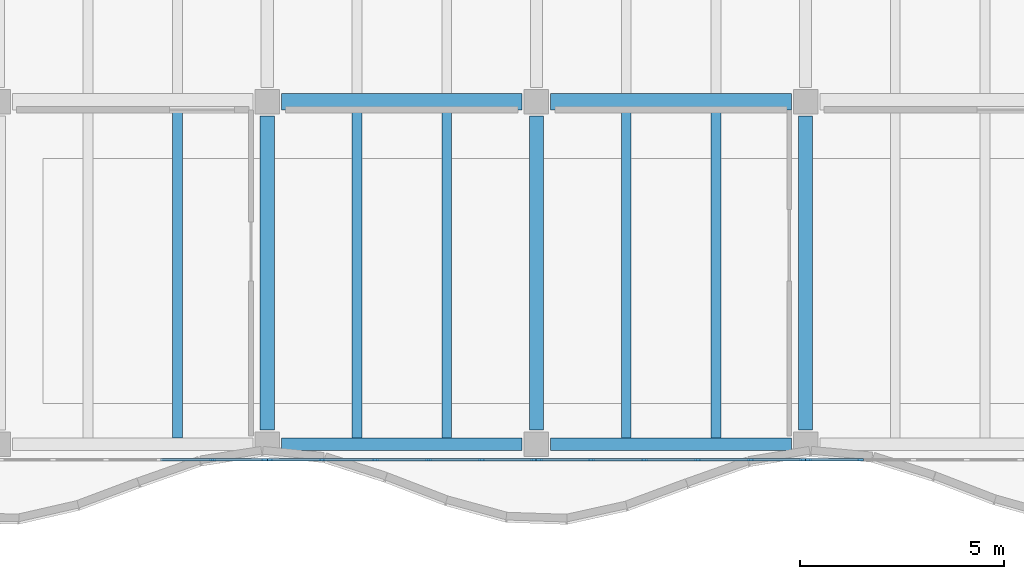
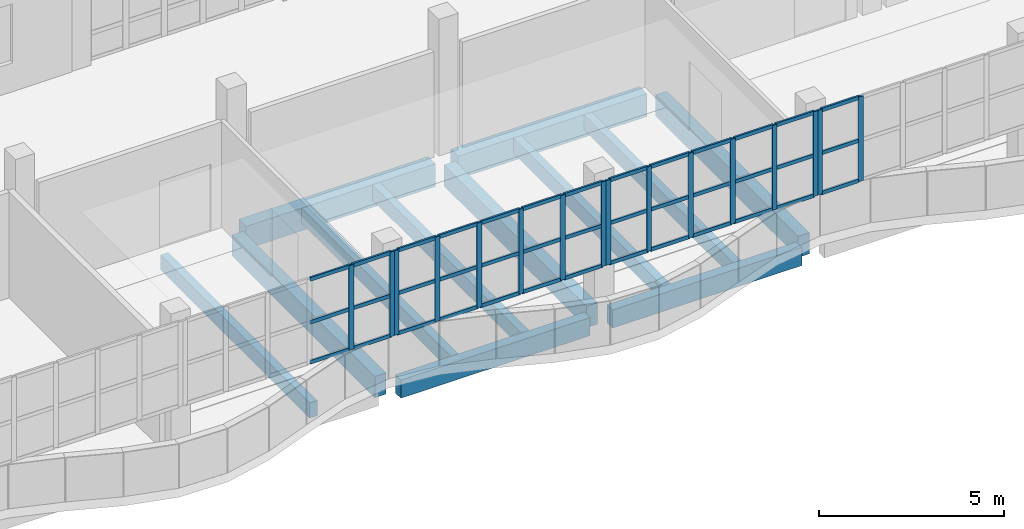
# One storey, part 11 of 76: 55 members, 12 beams, 4 elements without a shape of their own.
"""IFC4 building model written with IfcOpenShell, lengths in metres."""

from ifc_helpers import new_model, si_unit, direction, frame, origin, origin_2d, place, context, subcontext, project, spatial, rectangle, extrude, material, material_profile, profile_set, type_object, element, aggregate, save


model = new_model("IFC4")

# Units and contexts
model_context = context("Model", 3, precision=1e-05, world=origin(), true_north=direction((0.0, 1.0)))
body_context = subcontext(model_context, "Body", "Model", "MODEL_VIEW")
ifc_project = project(units=[si_unit("LENGTHUNIT", "METRE"), si_unit("AREAUNIT", "SQUARE_METRE"), si_unit("VOLUMEUNIT", "CUBIC_METRE"), si_unit("PLANEANGLEUNIT", "RADIAN"), si_unit("MASSUNIT", "GRAM", prefix="KILO")], contexts=[model_context])

# Site, building, storey
site_placement = place(None, origin())
site = spatial("IfcSite", under=ifc_project, at=site_placement, CompositionType="ELEMENT")
building_placement = place(site_placement, origin())
building = spatial("IfcBuilding", under=site, at=building_placement, Name="Qaldarim Faculty of Natural and Applied Sciences", CompositionType="ELEMENT")
storey_placement = place(building_placement, frame((0.0, 0.0, 9.89990234375)))
storey = spatial("IfcBuildingStorey", under=building, at=storey_placement, Name="L02", CompositionType="ELEMENT", Elevation=9.89990234375)

# Beams
ifc_material_1 = material(Name="Concrete C40/50", Category="concrete")
ifc_material_profile_1 = material_profile(ifc_material_1, rectangle(XDim=0.239990234375, YDim=0.5, at=origin_2d()), Name="RC-J240x500")
ifc_profile_set_1 = profile_set([ifc_material_profile_1], Name="Concrete C40/50")
beam_type_1 = type_object("IfcBeamType", Name="HeavyJoist-RC240x500", PredefinedType="JOIST", material=ifc_profile_set_1)
for number, where, z_axis, x_axis, name in (
    (1, (63.800048828125, 100.949951171875, -0.5498046875), (0.0, 1.0, 0.0), (-1.0, 0.0, 0.0), "Laboratory joist L01 bay X10Y13-2"),
    (2, (68.199951171875, 100.949951171875, -0.5498046875), (0.0, 1.0, 0.0), (-1.0, 0.0, 0.0), "Laboratory joist L01 bay X11Y13-1"),
    (3, (70.39990234375, 100.949951171875, -0.5498046875), (0.0, 1.0, 0.0), (-1.0, 0.0, 0.0), "Laboratory joist L01 bay X11Y13-2"),
    (4, (74.800048828125, 100.949951171875, -0.5498046875), (0.0, 1.0, 0.0), (-1.0, 0.0, 0.0), "Laboratory joist L01 bay X12Y13-1"),
    (5, (77.0, 100.949951171875, -0.5498046875), (0.0, 1.0, 0.0), (-1.0, 0.0, 0.0), "Laboratory joist L01 bay X12Y13-2"),
):
    element("IfcBeam", number, at=place(storey_placement, frame(where, z_axis=z_axis, x_axis=x_axis)), inside=storey, type_object=beam_type_1, Name=name, PredefinedType="JOIST", context=body_context, shape_type="SweptSolid", body=[
        extrude(rectangle(XDim=0.239990234375, YDim=0.5, at=origin_2d()), origin(), (0.0, 0.0, 1.0), 8.050048828125),
    ])
ifc_material_2 = material(Name="Concrete C50/60", Category="concrete")
ifc_material_profile_2 = material_profile(ifc_material_2, rectangle(XDim=0.39990234375, YDim=0.75, at=origin_2d()), Name="RC-B400x750")
ifc_profile_set_2 = profile_set([ifc_material_profile_2], Name="Concrete C50/60")
beam_type_2 = type_object("IfcBeamType", Name="LabGirder-RC400x750", PredefinedType="BEAM", material=ifc_profile_set_2)
beam_1_placement = place(storey_placement, frame((66.35009765625, 109.199951171875, -0.6748046875), z_axis=(1.0, 0.0, 0.0), x_axis=(0.0, 1.0, 0.0)))
element("IfcBeam", 6, at=beam_1_placement, inside=storey, type_object=beam_type_2, Name="Beam RC-B400x750 L01 X11-X12/Y14", PredefinedType="BEAM", context=body_context, shape_type="SweptSolid", body=[
    extrude(rectangle(XDim=0.39990234375, YDim=0.75, at=origin_2d()), origin(), (0.0, 0.0, 1.0), 5.89990234375),
])
beam_2_placement = place(storey_placement, frame((72.949951171875, 109.199951171875, -0.6748046875), z_axis=(1.0, 0.0, 0.0), x_axis=(0.0, 1.0, 0.0)))
element("IfcBeam", 7, at=beam_2_placement, inside=storey, type_object=beam_type_2, Name="Beam RC-B400x750 L01 X12-X13/Y14", PredefinedType="BEAM", context=body_context, shape_type="SweptSolid", body=[
    extrude(rectangle(XDim=0.39990234375, YDim=0.75, at=origin_2d()), origin(), (0.0, 0.0, 1.0), 5.900146484375),
])

# Curtain wall, members
ifc_material_3 = material(Name="Anodised aluminium AW-6063", Category="aluminium")
curtain_wall_type = type_object("IfcCurtainWallType", Name="CurtainWallSystem-M1400", PredefinedType="USERDEFINED", material=ifc_material_3)
curtain_wall_1_placement = place(storey_placement, origin())
curtain_wall_1 = element("IfcCurtainWall", 8, at=curtain_wall_1_placement, inside=storey, type_object=curtain_wall_type, Name="Curtain wall CW-V4RIB-L02-X10", ObjectType="STICK CURTAIN WALL", PredefinedType="USERDEFINED")
ifc_material_profile_3 = material_profile(ifc_material_3, rectangle(XDim=0.06005859375, YDim=0.14990234375, at=origin_2d()), Name="ALU-M60x150")
ifc_profile_set_3 = profile_set([ifc_material_profile_3], Name="Anodised aluminium AW-6063")
member_type_1 = type_object("IfcMemberType", Name="Mullion-ALU60x150", PredefinedType="MULLION", material=ifc_profile_set_3)
member_1_placement = place(storey_placement, frame((64.656005859375, 100.419921875, 1.4501953125), z_axis=(0.0, 0.0, 1.0), x_axis=(0.0, 1.0, 0.0)))
member_1 = element("IfcMember", 9, at=member_1_placement, type_object=member_type_1, Name="Mullion 5 of CW-V4RIB-L02-X10", PredefinedType="MULLION", context=body_context, shape_type="SweptSolid", body=[
    extrude(rectangle(XDim=0.06005859375, YDim=0.14990234375, at=origin_2d()), origin(), (0.0, 0.0, 1.0), 2.789794921875),
])
member_2_placement = place(storey_placement, frame((65.929931640625, 100.419921875, 1.4501953125), z_axis=(0.0, 0.0, 1.0), x_axis=(0.0, 1.0, 0.0)))
member_2 = element("IfcMember", 10, at=member_2_placement, type_object=member_type_1, Name="Mullion 6 of CW-V4RIB-L02-X10", PredefinedType="MULLION", context=body_context, shape_type="SweptSolid", body=[
    extrude(rectangle(XDim=0.06005859375, YDim=0.14990234375, at=origin_2d()), origin(), (0.0, 0.0, 1.0), 2.789794921875),
])

curtain_wall_2_placement = place(storey_placement, origin())
curtain_wall_2 = element("IfcCurtainWall", 11, at=curtain_wall_2_placement, inside=storey, type_object=curtain_wall_type, Name="Curtain wall CW-V4RIB-L02-X11", ObjectType="STICK CURTAIN WALL", PredefinedType="USERDEFINED")
member_3_placement = place(storey_placement, frame((66.070068359375, 100.419921875, 1.4501953125), z_axis=(0.0, 0.0, 1.0), x_axis=(0.0, 1.0, 0.0)))
member_3 = element("IfcMember", 12, at=member_3_placement, type_object=member_type_1, Name="Mullion 1 of CW-V4RIB-L02-X11", PredefinedType="MULLION", context=body_context, shape_type="SweptSolid", body=[
    extrude(rectangle(XDim=0.06005859375, YDim=0.14990234375, at=origin_2d()), origin(), (0.0, 0.0, 1.0), 2.789794921875),
])
member_4_placement = place(storey_placement, frame((67.343994140625, 100.419921875, 1.4501953125), z_axis=(0.0, 0.0, 1.0), x_axis=(0.0, 1.0, 0.0)))
member_4 = element("IfcMember", 13, at=member_4_placement, type_object=member_type_1, Name="Mullion 2 of CW-V4RIB-L02-X11", PredefinedType="MULLION", context=body_context, shape_type="SweptSolid", body=[
    extrude(rectangle(XDim=0.06005859375, YDim=0.14990234375, at=origin_2d()), origin(), (0.0, 0.0, 1.0), 2.789794921875),
])
member_5_placement = place(storey_placement, frame((68.64794921875, 100.419921875, 1.4501953125), z_axis=(0.0, 0.0, 1.0), x_axis=(0.0, 1.0, 0.0)))
member_5 = element("IfcMember", 14, at=member_5_placement, type_object=member_type_1, Name="Mullion 3 of CW-V4RIB-L02-X11", PredefinedType="MULLION", context=body_context, shape_type="SweptSolid", body=[
    extrude(rectangle(XDim=0.06005859375, YDim=0.14990234375, at=origin_2d()), origin(), (0.0, 0.0, 1.0), 2.789794921875),
])
member_6_placement = place(storey_placement, frame((69.951904296875, 100.419921875, 1.4501953125), z_axis=(0.0, 0.0, 1.0), x_axis=(0.0, 1.0, 0.0)))
member_6 = element("IfcMember", 15, at=member_6_placement, type_object=member_type_1, Name="Mullion 4 of CW-V4RIB-L02-X11", PredefinedType="MULLION", context=body_context, shape_type="SweptSolid", body=[
    extrude(rectangle(XDim=0.06005859375, YDim=0.14990234375, at=origin_2d()), origin(), (0.0, 0.0, 1.0), 2.789794921875),
])
member_7_placement = place(storey_placement, frame((71.256103515625, 100.419921875, 1.4501953125), z_axis=(0.0, 0.0, 1.0), x_axis=(0.0, 1.0, 0.0)))
member_7 = element("IfcMember", 16, at=member_7_placement, type_object=member_type_1, Name="Mullion 5 of CW-V4RIB-L02-X11", PredefinedType="MULLION", context=body_context, shape_type="SweptSolid", body=[
    extrude(rectangle(XDim=0.06005859375, YDim=0.14990234375, at=origin_2d()), origin(), (0.0, 0.0, 1.0), 2.789794921875),
])
member_8_placement = place(storey_placement, frame((72.530029296875, 100.419921875, 1.4501953125), z_axis=(0.0, 0.0, 1.0), x_axis=(0.0, 1.0, 0.0)))
member_8 = element("IfcMember", 17, at=member_8_placement, type_object=member_type_1, Name="Mullion 6 of CW-V4RIB-L02-X11", PredefinedType="MULLION", context=body_context, shape_type="SweptSolid", body=[
    extrude(rectangle(XDim=0.06005859375, YDim=0.14990234375, at=origin_2d()), origin(), (0.0, 0.0, 1.0), 2.789794921875),
])

curtain_wall_3_placement = place(storey_placement, origin())
curtain_wall_3 = element("IfcCurtainWall", 18, at=curtain_wall_3_placement, inside=storey, type_object=curtain_wall_type, Name="Curtain wall CW-V4RIB-L02-X12", ObjectType="STICK CURTAIN WALL", PredefinedType="USERDEFINED")
member_9_placement = place(storey_placement, frame((72.669921875, 100.419921875, 1.4501953125), z_axis=(0.0, 0.0, 1.0), x_axis=(0.0, 1.0, 0.0)))
member_9 = element("IfcMember", 19, at=member_9_placement, type_object=member_type_1, Name="Mullion 1 of CW-V4RIB-L02-X12", PredefinedType="MULLION", context=body_context, shape_type="SweptSolid", body=[
    extrude(rectangle(XDim=0.06005859375, YDim=0.14990234375, at=origin_2d()), origin(), (0.0, 0.0, 1.0), 2.789794921875),
])
member_10_placement = place(storey_placement, frame((73.944091796875, 100.419921875, 1.4501953125), z_axis=(0.0, 0.0, 1.0), x_axis=(0.0, 1.0, 0.0)))
member_10 = element("IfcMember", 20, at=member_10_placement, type_object=member_type_1, Name="Mullion 2 of CW-V4RIB-L02-X12", PredefinedType="MULLION", context=body_context, shape_type="SweptSolid", body=[
    extrude(rectangle(XDim=0.06005859375, YDim=0.14990234375, at=origin_2d()), origin(), (0.0, 0.0, 1.0), 2.789794921875),
])
member_11_placement = place(storey_placement, frame((75.248046875, 100.419921875, 1.4501953125), z_axis=(0.0, 0.0, 1.0), x_axis=(0.0, 1.0, 0.0)))
member_11 = element("IfcMember", 21, at=member_11_placement, type_object=member_type_1, Name="Mullion 3 of CW-V4RIB-L02-X12", PredefinedType="MULLION", context=body_context, shape_type="SweptSolid", body=[
    extrude(rectangle(XDim=0.06005859375, YDim=0.14990234375, at=origin_2d()), origin(), (0.0, 0.0, 1.0), 2.789794921875),
])
member_12_placement = place(storey_placement, frame((76.552001953125, 100.419921875, 1.4501953125), z_axis=(0.0, 0.0, 1.0), x_axis=(0.0, 1.0, 0.0)))
member_12 = element("IfcMember", 22, at=member_12_placement, type_object=member_type_1, Name="Mullion 4 of CW-V4RIB-L02-X12", PredefinedType="MULLION", context=body_context, shape_type="SweptSolid", body=[
    extrude(rectangle(XDim=0.06005859375, YDim=0.14990234375, at=origin_2d()), origin(), (0.0, 0.0, 1.0), 2.789794921875),
])
member_13_placement = place(storey_placement, frame((77.85595703125, 100.419921875, 1.4501953125), z_axis=(0.0, 0.0, 1.0), x_axis=(0.0, 1.0, 0.0)))
member_13 = element("IfcMember", 23, at=member_13_placement, type_object=member_type_1, Name="Mullion 5 of CW-V4RIB-L02-X12", PredefinedType="MULLION", context=body_context, shape_type="SweptSolid", body=[
    extrude(rectangle(XDim=0.06005859375, YDim=0.14990234375, at=origin_2d()), origin(), (0.0, 0.0, 1.0), 2.789794921875),
])
member_14_placement = place(storey_placement, frame((79.1298828125, 100.419921875, 1.4501953125), z_axis=(0.0, 0.0, 1.0), x_axis=(0.0, 1.0, 0.0)))
member_14 = element("IfcMember", 24, at=member_14_placement, type_object=member_type_1, Name="Mullion 6 of CW-V4RIB-L02-X12", PredefinedType="MULLION", context=body_context, shape_type="SweptSolid", body=[
    extrude(rectangle(XDim=0.06005859375, YDim=0.14990234375, at=origin_2d()), origin(), (0.0, 0.0, 1.0), 2.789794921875),
])

curtain_wall_4_placement = place(storey_placement, origin())
curtain_wall_4 = element("IfcCurtainWall", 25, at=curtain_wall_4_placement, inside=storey, type_object=curtain_wall_type, Name="Curtain wall CW-V4RIB-L02-X13", ObjectType="STICK CURTAIN WALL", PredefinedType="USERDEFINED")
member_15_placement = place(storey_placement, frame((79.27001953125, 100.419921875, 1.4501953125), z_axis=(0.0, 0.0, 1.0), x_axis=(0.0, 1.0, 0.0)))
member_15 = element("IfcMember", 26, at=member_15_placement, type_object=member_type_1, Name="Mullion 1 of CW-V4RIB-L02-X13", PredefinedType="MULLION", context=body_context, shape_type="SweptSolid", body=[
    extrude(rectangle(XDim=0.06005859375, YDim=0.14990234375, at=origin_2d()), origin(), (0.0, 0.0, 1.0), 2.789794921875),
])
member_16_placement = place(storey_placement, frame((80.5439453125, 100.419921875, 1.4501953125), z_axis=(0.0, 0.0, 1.0), x_axis=(0.0, 1.0, 0.0)))
member_16 = element("IfcMember", 27, at=member_16_placement, type_object=member_type_1, Name="Mullion 2 of CW-V4RIB-L02-X13", PredefinedType="MULLION", context=body_context, shape_type="SweptSolid", body=[
    extrude(rectangle(XDim=0.06005859375, YDim=0.14990234375, at=origin_2d()), origin(), (0.0, 0.0, 1.0), 2.789794921875),
])

# Beams
ifc_material_profile_4 = material_profile(ifc_material_1, rectangle(XDim=0.35009765625, YDim=0.699951171875, at=origin_2d()), Name="RC-B350x700")
ifc_profile_set_4 = profile_set([ifc_material_profile_4], Name="Concrete C40/50")
beam_type_3 = type_object("IfcBeamType", Name="PrimaryGirder-RC350x700", PredefinedType="BEAM", material=ifc_profile_set_4)
for number, where, z_axis, x_axis, name in (
    (28, (66.0, 101.14990234375, -0.64990234375), (0.0, 1.0, 0.0), (-1.0, 0.0, 0.0), "Beam RC-B350x700 L01 X11/Y13-Y14"),
    (29, (72.60009765625, 101.14990234375, -0.64990234375), (0.0, 1.0, 0.0), (-1.0, 0.0, 0.0), "Beam RC-B350x700 L01 X12/Y13-Y14"),
    (30, (79.199951171875, 101.14990234375, -0.64990234375), (0.0, 1.0, 0.0), (-1.0, 0.0, 0.0), "Beam RC-B350x700 L01 X13/Y13-Y14"),
):
    element("IfcBeam", number, at=place(storey_placement, frame(where, z_axis=z_axis, x_axis=x_axis)), inside=storey, type_object=beam_type_3, Name=name, PredefinedType="BEAM", context=body_context, shape_type="SweptSolid", body=[
        extrude(rectangle(XDim=0.35009765625, YDim=0.699951171875, at=origin_2d()), origin(), (0.0, 0.0, 1.0), 7.7001953125),
    ])
ifc_material_4 = material(Name="Precast concrete C40/50", Category="concrete")
ifc_material_profile_5 = material_profile(ifc_material_4, rectangle(XDim=0.300048828125, YDim=0.60009765625, at=origin_2d()), Name="RC-SP300x600")
ifc_profile_set_5 = profile_set([ifc_material_profile_5], Name="Precast concrete C40/50")
beam_type_4 = type_object("IfcBeamType", Name="SpandrelBeam-RC300x600", PredefinedType="SPANDREL", material=ifc_profile_set_5)
beam_3_placement = place(storey_placement, frame((66.35009765625, 100.800048828125, -0.599853515625), z_axis=(1.0, 0.0, 0.0), x_axis=(0.0, 1.0, 0.0)))
element("IfcBeam", 31, at=beam_3_placement, inside=storey, type_object=beam_type_4, Name="Beam RC-SP300x600 L01 X11-X12/Y13", PredefinedType="SPANDREL", context=body_context, shape_type="SweptSolid", body=[
    extrude(rectangle(XDim=0.300048828125, YDim=0.60009765625, at=origin_2d()), origin(), (0.0, 0.0, 1.0), 5.89990234375),
])
beam_4_placement = place(storey_placement, frame((72.949951171875, 100.800048828125, -0.599853515625), z_axis=(1.0, 0.0, 0.0), x_axis=(0.0, 1.0, 0.0)))
element("IfcBeam", 32, at=beam_4_placement, inside=storey, type_object=beam_type_4, Name="Beam RC-SP300x600 L01 X12-X13/Y13", PredefinedType="SPANDREL", context=body_context, shape_type="SweptSolid", body=[
    extrude(rectangle(XDim=0.300048828125, YDim=0.60009765625, at=origin_2d()), origin(), (0.0, 0.0, 1.0), 5.900146484375),
])

# Member
ifc_material_profile_6 = material_profile(ifc_material_3, rectangle(XDim=0.06005859375, YDim=0.1201171875, at=origin_2d()), Name="ALU-T60x120")
ifc_profile_set_6 = profile_set([ifc_material_profile_6], Name="Anodised aluminium AW-6063")
member_type_2 = type_object("IfcMemberType", Name="Transom-ALU60x120", PredefinedType="USERDEFINED", material=ifc_profile_set_6)
member_17_placement = place(storey_placement, frame((63.382080078125, 100.419921875, 1.47998046875), z_axis=(1.0, 0.0, 0.0), x_axis=(0.0, 1.0, 0.0)))
member_17 = element("IfcMember", 33, at=member_17_placement, type_object=member_type_2, Name="Transom 4-1 of CW-V4RIB-L02-X10", ObjectType="TRANSOM", PredefinedType="USERDEFINED", context=body_context, shape_type="SweptSolid", body=[
    extrude(rectangle(XDim=0.06005859375, YDim=0.1201171875, at=origin_2d()), origin(), (0.0, 0.0, 1.0), 1.243896484375),
])

member_18_placement = place(storey_placement, frame((63.382080078125, 100.419921875, 2.800048828125), z_axis=(1.0, 0.0, 0.0), x_axis=(0.0, 1.0, 0.0)))
member_18 = element("IfcMember", 34, at=member_18_placement, type_object=member_type_2, Name="Transom 4-2 of CW-V4RIB-L02-X10", ObjectType="TRANSOM", PredefinedType="USERDEFINED", context=body_context, shape_type="SweptSolid", body=[
    extrude(rectangle(XDim=0.06005859375, YDim=0.1201171875, at=origin_2d()), origin(), (0.0, 0.0, 1.0), 1.243896484375),
])

member_19_placement = place(storey_placement, frame((63.382080078125, 100.419921875, 4.210205078125), z_axis=(1.0, 0.0, 0.0), x_axis=(0.0, 1.0, 0.0)))
member_19 = element("IfcMember", 35, at=member_19_placement, type_object=member_type_2, Name="Transom 4-3 of CW-V4RIB-L02-X10", ObjectType="TRANSOM", PredefinedType="USERDEFINED", context=body_context, shape_type="SweptSolid", body=[
    extrude(rectangle(XDim=0.06005859375, YDim=0.1201171875, at=origin_2d()), origin(), (0.0, 0.0, 1.0), 1.243896484375),
])

member_20_placement = place(storey_placement, frame((64.68603515625, 100.419921875, 1.47998046875), z_axis=(1.0, 0.0, 0.0), x_axis=(0.0, 1.0, 0.0)))
member_20 = element("IfcMember", 36, at=member_20_placement, type_object=member_type_2, Name="Transom 5-1 of CW-V4RIB-L02-X10", ObjectType="TRANSOM", PredefinedType="USERDEFINED", context=body_context, shape_type="SweptSolid", body=[
    extrude(rectangle(XDim=0.06005859375, YDim=0.1201171875, at=origin_2d()), origin(), (0.0, 0.0, 1.0), 1.2138671875),
])

member_21_placement = place(storey_placement, frame((64.68603515625, 100.419921875, 2.800048828125), z_axis=(1.0, 0.0, 0.0), x_axis=(0.0, 1.0, 0.0)))
member_21 = element("IfcMember", 37, at=member_21_placement, type_object=member_type_2, Name="Transom 5-2 of CW-V4RIB-L02-X10", ObjectType="TRANSOM", PredefinedType="USERDEFINED", context=body_context, shape_type="SweptSolid", body=[
    extrude(rectangle(XDim=0.06005859375, YDim=0.1201171875, at=origin_2d()), origin(), (0.0, 0.0, 1.0), 1.2138671875),
])

member_22_placement = place(storey_placement, frame((64.68603515625, 100.419921875, 4.210205078125), z_axis=(1.0, 0.0, 0.0), x_axis=(0.0, 1.0, 0.0)))
member_22 = element("IfcMember", 38, at=member_22_placement, type_object=member_type_2, Name="Transom 5-3 of CW-V4RIB-L02-X10", ObjectType="TRANSOM", PredefinedType="USERDEFINED", context=body_context, shape_type="SweptSolid", body=[
    extrude(rectangle(XDim=0.06005859375, YDim=0.1201171875, at=origin_2d()), origin(), (0.0, 0.0, 1.0), 1.2138671875),
])

aggregate(curtain_wall_1, [member_1, member_2, member_17, member_18, member_19, member_20, member_21, member_22])

member_23_placement = place(storey_placement, frame((66.10009765625, 100.419921875, 1.47998046875), z_axis=(1.0, 0.0, 0.0), x_axis=(0.0, 1.0, 0.0)))
member_23 = element("IfcMember", 39, at=member_23_placement, type_object=member_type_2, Name="Transom 1-1 of CW-V4RIB-L02-X11", ObjectType="TRANSOM", PredefinedType="USERDEFINED", context=body_context, shape_type="SweptSolid", body=[
    extrude(rectangle(XDim=0.06005859375, YDim=0.1201171875, at=origin_2d()), origin(), (0.0, 0.0, 1.0), 1.2138671875),
])

member_24_placement = place(storey_placement, frame((66.10009765625, 100.419921875, 2.800048828125), z_axis=(1.0, 0.0, 0.0), x_axis=(0.0, 1.0, 0.0)))
member_24 = element("IfcMember", 40, at=member_24_placement, type_object=member_type_2, Name="Transom 1-2 of CW-V4RIB-L02-X11", ObjectType="TRANSOM", PredefinedType="USERDEFINED", context=body_context, shape_type="SweptSolid", body=[
    extrude(rectangle(XDim=0.06005859375, YDim=0.1201171875, at=origin_2d()), origin(), (0.0, 0.0, 1.0), 1.2138671875),
])

member_25_placement = place(storey_placement, frame((66.10009765625, 100.419921875, 4.210205078125), z_axis=(1.0, 0.0, 0.0), x_axis=(0.0, 1.0, 0.0)))
member_25 = element("IfcMember", 41, at=member_25_placement, type_object=member_type_2, Name="Transom 1-3 of CW-V4RIB-L02-X11", ObjectType="TRANSOM", PredefinedType="USERDEFINED", context=body_context, shape_type="SweptSolid", body=[
    extrude(rectangle(XDim=0.06005859375, YDim=0.1201171875, at=origin_2d()), origin(), (0.0, 0.0, 1.0), 1.2138671875),
])

member_26_placement = place(storey_placement, frame((67.3740234375, 100.419921875, 1.47998046875), z_axis=(1.0, 0.0, 0.0), x_axis=(0.0, 1.0, 0.0)))
member_26 = element("IfcMember", 42, at=member_26_placement, type_object=member_type_2, Name="Transom 2-1 of CW-V4RIB-L02-X11", ObjectType="TRANSOM", PredefinedType="USERDEFINED", context=body_context, shape_type="SweptSolid", body=[
    extrude(rectangle(XDim=0.06005859375, YDim=0.1201171875, at=origin_2d()), origin(), (0.0, 0.0, 1.0), 1.243896484375),
])

member_27_placement = place(storey_placement, frame((67.3740234375, 100.419921875, 2.800048828125), z_axis=(1.0, 0.0, 0.0), x_axis=(0.0, 1.0, 0.0)))
member_27 = element("IfcMember", 43, at=member_27_placement, type_object=member_type_2, Name="Transom 2-2 of CW-V4RIB-L02-X11", ObjectType="TRANSOM", PredefinedType="USERDEFINED", context=body_context, shape_type="SweptSolid", body=[
    extrude(rectangle(XDim=0.06005859375, YDim=0.1201171875, at=origin_2d()), origin(), (0.0, 0.0, 1.0), 1.243896484375),
])

member_28_placement = place(storey_placement, frame((67.3740234375, 100.419921875, 4.210205078125), z_axis=(1.0, 0.0, 0.0), x_axis=(0.0, 1.0, 0.0)))
member_28 = element("IfcMember", 44, at=member_28_placement, type_object=member_type_2, Name="Transom 2-3 of CW-V4RIB-L02-X11", ObjectType="TRANSOM", PredefinedType="USERDEFINED", context=body_context, shape_type="SweptSolid", body=[
    extrude(rectangle(XDim=0.06005859375, YDim=0.1201171875, at=origin_2d()), origin(), (0.0, 0.0, 1.0), 1.243896484375),
])

member_29_placement = place(storey_placement, frame((68.677978515625, 100.419921875, 1.47998046875), z_axis=(1.0, 0.0, 0.0), x_axis=(0.0, 1.0, 0.0)))
member_29 = element("IfcMember", 45, at=member_29_placement, type_object=member_type_2, Name="Transom 3-1 of CW-V4RIB-L02-X11", ObjectType="TRANSOM", PredefinedType="USERDEFINED", context=body_context, shape_type="SweptSolid", body=[
    extrude(rectangle(XDim=0.06005859375, YDim=0.1201171875, at=origin_2d()), origin(), (0.0, 0.0, 1.0), 1.244140625),
])

member_30_placement = place(storey_placement, frame((68.677978515625, 100.419921875, 2.800048828125), z_axis=(1.0, 0.0, 0.0), x_axis=(0.0, 1.0, 0.0)))
member_30 = element("IfcMember", 46, at=member_30_placement, type_object=member_type_2, Name="Transom 3-2 of CW-V4RIB-L02-X11", ObjectType="TRANSOM", PredefinedType="USERDEFINED", context=body_context, shape_type="SweptSolid", body=[
    extrude(rectangle(XDim=0.06005859375, YDim=0.1201171875, at=origin_2d()), origin(), (0.0, 0.0, 1.0), 1.244140625),
])

member_31_placement = place(storey_placement, frame((68.677978515625, 100.419921875, 4.210205078125), z_axis=(1.0, 0.0, 0.0), x_axis=(0.0, 1.0, 0.0)))
member_31 = element("IfcMember", 47, at=member_31_placement, type_object=member_type_2, Name="Transom 3-3 of CW-V4RIB-L02-X11", ObjectType="TRANSOM", PredefinedType="USERDEFINED", context=body_context, shape_type="SweptSolid", body=[
    extrude(rectangle(XDim=0.06005859375, YDim=0.1201171875, at=origin_2d()), origin(), (0.0, 0.0, 1.0), 1.244140625),
])

member_32_placement = place(storey_placement, frame((69.98193359375, 100.419921875, 1.47998046875), z_axis=(1.0, 0.0, 0.0), x_axis=(0.0, 1.0, 0.0)))
member_32 = element("IfcMember", 48, at=member_32_placement, type_object=member_type_2, Name="Transom 4-1 of CW-V4RIB-L02-X11", ObjectType="TRANSOM", PredefinedType="USERDEFINED", context=body_context, shape_type="SweptSolid", body=[
    extrude(rectangle(XDim=0.06005859375, YDim=0.1201171875, at=origin_2d()), origin(), (0.0, 0.0, 1.0), 1.244140625),
])

member_33_placement = place(storey_placement, frame((69.98193359375, 100.419921875, 2.800048828125), z_axis=(1.0, 0.0, 0.0), x_axis=(0.0, 1.0, 0.0)))
member_33 = element("IfcMember", 49, at=member_33_placement, type_object=member_type_2, Name="Transom 4-2 of CW-V4RIB-L02-X11", ObjectType="TRANSOM", PredefinedType="USERDEFINED", context=body_context, shape_type="SweptSolid", body=[
    extrude(rectangle(XDim=0.06005859375, YDim=0.1201171875, at=origin_2d()), origin(), (0.0, 0.0, 1.0), 1.244140625),
])

member_34_placement = place(storey_placement, frame((69.98193359375, 100.419921875, 4.210205078125), z_axis=(1.0, 0.0, 0.0), x_axis=(0.0, 1.0, 0.0)))
member_34 = element("IfcMember", 50, at=member_34_placement, type_object=member_type_2, Name="Transom 4-3 of CW-V4RIB-L02-X11", ObjectType="TRANSOM", PredefinedType="USERDEFINED", context=body_context, shape_type="SweptSolid", body=[
    extrude(rectangle(XDim=0.06005859375, YDim=0.1201171875, at=origin_2d()), origin(), (0.0, 0.0, 1.0), 1.244140625),
])

member_35_placement = place(storey_placement, frame((71.285888671875, 100.419921875, 1.47998046875), z_axis=(1.0, 0.0, 0.0), x_axis=(0.0, 1.0, 0.0)))
member_35 = element("IfcMember", 51, at=member_35_placement, type_object=member_type_2, Name="Transom 5-1 of CW-V4RIB-L02-X11", ObjectType="TRANSOM", PredefinedType="USERDEFINED", context=body_context, shape_type="SweptSolid", body=[
    extrude(rectangle(XDim=0.06005859375, YDim=0.1201171875, at=origin_2d()), origin(), (0.0, 0.0, 1.0), 1.214111328125),
])

member_36_placement = place(storey_placement, frame((71.285888671875, 100.419921875, 2.800048828125), z_axis=(1.0, 0.0, 0.0), x_axis=(0.0, 1.0, 0.0)))
member_36 = element("IfcMember", 52, at=member_36_placement, type_object=member_type_2, Name="Transom 5-2 of CW-V4RIB-L02-X11", ObjectType="TRANSOM", PredefinedType="USERDEFINED", context=body_context, shape_type="SweptSolid", body=[
    extrude(rectangle(XDim=0.06005859375, YDim=0.1201171875, at=origin_2d()), origin(), (0.0, 0.0, 1.0), 1.214111328125),
])

member_37_placement = place(storey_placement, frame((71.285888671875, 100.419921875, 4.210205078125), z_axis=(1.0, 0.0, 0.0), x_axis=(0.0, 1.0, 0.0)))
member_37 = element("IfcMember", 53, at=member_37_placement, type_object=member_type_2, Name="Transom 5-3 of CW-V4RIB-L02-X11", ObjectType="TRANSOM", PredefinedType="USERDEFINED", context=body_context, shape_type="SweptSolid", body=[
    extrude(rectangle(XDim=0.06005859375, YDim=0.1201171875, at=origin_2d()), origin(), (0.0, 0.0, 1.0), 1.214111328125),
])

aggregate(curtain_wall_2, [member_3, member_4, member_5, member_6, member_7, member_8, member_23, member_24, member_25, member_26, member_27, member_28, member_29, member_30, member_31, member_32, member_33, member_34, member_35, member_36, member_37])

member_38_placement = place(storey_placement, frame((72.699951171875, 100.419921875, 1.47998046875), z_axis=(1.0, 0.0, 0.0), x_axis=(0.0, 1.0, 0.0)))
member_38 = element("IfcMember", 54, at=member_38_placement, type_object=member_type_2, Name="Transom 1-1 of CW-V4RIB-L02-X12", ObjectType="TRANSOM", PredefinedType="USERDEFINED", context=body_context, shape_type="SweptSolid", body=[
    extrude(rectangle(XDim=0.06005859375, YDim=0.1201171875, at=origin_2d()), origin(), (0.0, 0.0, 1.0), 1.214111328125),
])

member_39_placement = place(storey_placement, frame((72.699951171875, 100.419921875, 2.800048828125), z_axis=(1.0, 0.0, 0.0), x_axis=(0.0, 1.0, 0.0)))
member_39 = element("IfcMember", 55, at=member_39_placement, type_object=member_type_2, Name="Transom 1-2 of CW-V4RIB-L02-X12", ObjectType="TRANSOM", PredefinedType="USERDEFINED", context=body_context, shape_type="SweptSolid", body=[
    extrude(rectangle(XDim=0.06005859375, YDim=0.1201171875, at=origin_2d()), origin(), (0.0, 0.0, 1.0), 1.214111328125),
])

member_40_placement = place(storey_placement, frame((72.699951171875, 100.419921875, 4.210205078125), z_axis=(1.0, 0.0, 0.0), x_axis=(0.0, 1.0, 0.0)))
member_40 = element("IfcMember", 56, at=member_40_placement, type_object=member_type_2, Name="Transom 1-3 of CW-V4RIB-L02-X12", ObjectType="TRANSOM", PredefinedType="USERDEFINED", context=body_context, shape_type="SweptSolid", body=[
    extrude(rectangle(XDim=0.06005859375, YDim=0.1201171875, at=origin_2d()), origin(), (0.0, 0.0, 1.0), 1.214111328125),
])

member_41_placement = place(storey_placement, frame((73.97412109375, 100.419921875, 1.47998046875), z_axis=(1.0, 0.0, 0.0), x_axis=(0.0, 1.0, 0.0)))
member_41 = element("IfcMember", 57, at=member_41_placement, type_object=member_type_2, Name="Transom 2-1 of CW-V4RIB-L02-X12", ObjectType="TRANSOM", PredefinedType="USERDEFINED", context=body_context, shape_type="SweptSolid", body=[
    extrude(rectangle(XDim=0.06005859375, YDim=0.1201171875, at=origin_2d()), origin(), (0.0, 0.0, 1.0), 1.243896484375),
])

member_42_placement = place(storey_placement, frame((73.97412109375, 100.419921875, 2.800048828125), z_axis=(1.0, 0.0, 0.0), x_axis=(0.0, 1.0, 0.0)))
member_42 = element("IfcMember", 58, at=member_42_placement, type_object=member_type_2, Name="Transom 2-2 of CW-V4RIB-L02-X12", ObjectType="TRANSOM", PredefinedType="USERDEFINED", context=body_context, shape_type="SweptSolid", body=[
    extrude(rectangle(XDim=0.06005859375, YDim=0.1201171875, at=origin_2d()), origin(), (0.0, 0.0, 1.0), 1.243896484375),
])

member_43_placement = place(storey_placement, frame((73.97412109375, 100.419921875, 4.210205078125), z_axis=(1.0, 0.0, 0.0), x_axis=(0.0, 1.0, 0.0)))
member_43 = element("IfcMember", 59, at=member_43_placement, type_object=member_type_2, Name="Transom 2-3 of CW-V4RIB-L02-X12", ObjectType="TRANSOM", PredefinedType="USERDEFINED", context=body_context, shape_type="SweptSolid", body=[
    extrude(rectangle(XDim=0.06005859375, YDim=0.1201171875, at=origin_2d()), origin(), (0.0, 0.0, 1.0), 1.243896484375),
])

member_44_placement = place(storey_placement, frame((75.278076171875, 100.419921875, 1.47998046875), z_axis=(1.0, 0.0, 0.0), x_axis=(0.0, 1.0, 0.0)))
member_44 = element("IfcMember", 60, at=member_44_placement, type_object=member_type_2, Name="Transom 3-1 of CW-V4RIB-L02-X12", ObjectType="TRANSOM", PredefinedType="USERDEFINED", context=body_context, shape_type="SweptSolid", body=[
    extrude(rectangle(XDim=0.06005859375, YDim=0.1201171875, at=origin_2d()), origin(), (0.0, 0.0, 1.0), 1.243896484375),
])

member_45_placement = place(storey_placement, frame((75.278076171875, 100.419921875, 2.800048828125), z_axis=(1.0, 0.0, 0.0), x_axis=(0.0, 1.0, 0.0)))
member_45 = element("IfcMember", 61, at=member_45_placement, type_object=member_type_2, Name="Transom 3-2 of CW-V4RIB-L02-X12", ObjectType="TRANSOM", PredefinedType="USERDEFINED", context=body_context, shape_type="SweptSolid", body=[
    extrude(rectangle(XDim=0.06005859375, YDim=0.1201171875, at=origin_2d()), origin(), (0.0, 0.0, 1.0), 1.243896484375),
])

member_46_placement = place(storey_placement, frame((75.278076171875, 100.419921875, 4.210205078125), z_axis=(1.0, 0.0, 0.0), x_axis=(0.0, 1.0, 0.0)))
member_46 = element("IfcMember", 62, at=member_46_placement, type_object=member_type_2, Name="Transom 3-3 of CW-V4RIB-L02-X12", ObjectType="TRANSOM", PredefinedType="USERDEFINED", context=body_context, shape_type="SweptSolid", body=[
    extrude(rectangle(XDim=0.06005859375, YDim=0.1201171875, at=origin_2d()), origin(), (0.0, 0.0, 1.0), 1.243896484375),
])

member_47_placement = place(storey_placement, frame((76.58203125, 100.419921875, 1.47998046875), z_axis=(1.0, 0.0, 0.0), x_axis=(0.0, 1.0, 0.0)))
member_47 = element("IfcMember", 63, at=member_47_placement, type_object=member_type_2, Name="Transom 4-1 of CW-V4RIB-L02-X12", ObjectType="TRANSOM", PredefinedType="USERDEFINED", context=body_context, shape_type="SweptSolid", body=[
    extrude(rectangle(XDim=0.06005859375, YDim=0.1201171875, at=origin_2d()), origin(), (0.0, 0.0, 1.0), 1.243896484375),
])

member_48_placement = place(storey_placement, frame((76.58203125, 100.419921875, 2.800048828125), z_axis=(1.0, 0.0, 0.0), x_axis=(0.0, 1.0, 0.0)))
member_48 = element("IfcMember", 64, at=member_48_placement, type_object=member_type_2, Name="Transom 4-2 of CW-V4RIB-L02-X12", ObjectType="TRANSOM", PredefinedType="USERDEFINED", context=body_context, shape_type="SweptSolid", body=[
    extrude(rectangle(XDim=0.06005859375, YDim=0.1201171875, at=origin_2d()), origin(), (0.0, 0.0, 1.0), 1.243896484375),
])

member_49_placement = place(storey_placement, frame((76.58203125, 100.419921875, 4.210205078125), z_axis=(1.0, 0.0, 0.0), x_axis=(0.0, 1.0, 0.0)))
member_49 = element("IfcMember", 65, at=member_49_placement, type_object=member_type_2, Name="Transom 4-3 of CW-V4RIB-L02-X12", ObjectType="TRANSOM", PredefinedType="USERDEFINED", context=body_context, shape_type="SweptSolid", body=[
    extrude(rectangle(XDim=0.06005859375, YDim=0.1201171875, at=origin_2d()), origin(), (0.0, 0.0, 1.0), 1.243896484375),
])

member_50_placement = place(storey_placement, frame((77.885986328125, 100.419921875, 1.47998046875), z_axis=(1.0, 0.0, 0.0), x_axis=(0.0, 1.0, 0.0)))
member_50 = element("IfcMember", 66, at=member_50_placement, type_object=member_type_2, Name="Transom 5-1 of CW-V4RIB-L02-X12", ObjectType="TRANSOM", PredefinedType="USERDEFINED", context=body_context, shape_type="SweptSolid", body=[
    extrude(rectangle(XDim=0.06005859375, YDim=0.1201171875, at=origin_2d()), origin(), (0.0, 0.0, 1.0), 1.214111328125),
])

member_51_placement = place(storey_placement, frame((77.885986328125, 100.419921875, 2.800048828125), z_axis=(1.0, 0.0, 0.0), x_axis=(0.0, 1.0, 0.0)))
member_51 = element("IfcMember", 67, at=member_51_placement, type_object=member_type_2, Name="Transom 5-2 of CW-V4RIB-L02-X12", ObjectType="TRANSOM", PredefinedType="USERDEFINED", context=body_context, shape_type="SweptSolid", body=[
    extrude(rectangle(XDim=0.06005859375, YDim=0.1201171875, at=origin_2d()), origin(), (0.0, 0.0, 1.0), 1.214111328125),
])

member_52_placement = place(storey_placement, frame((77.885986328125, 100.419921875, 4.210205078125), z_axis=(1.0, 0.0, 0.0), x_axis=(0.0, 1.0, 0.0)))
member_52 = element("IfcMember", 68, at=member_52_placement, type_object=member_type_2, Name="Transom 5-3 of CW-V4RIB-L02-X12", ObjectType="TRANSOM", PredefinedType="USERDEFINED", context=body_context, shape_type="SweptSolid", body=[
    extrude(rectangle(XDim=0.06005859375, YDim=0.1201171875, at=origin_2d()), origin(), (0.0, 0.0, 1.0), 1.214111328125),
])

aggregate(curtain_wall_3, [member_9, member_10, member_11, member_12, member_13, member_14, member_38, member_39, member_40, member_41, member_42, member_43, member_44, member_45, member_46, member_47, member_48, member_49, member_50, member_51, member_52])

member_53_placement = place(storey_placement, frame((79.300048828125, 100.419921875, 1.47998046875), z_axis=(1.0, 0.0, 0.0), x_axis=(0.0, 1.0, 0.0)))
member_53 = element("IfcMember", 69, at=member_53_placement, type_object=member_type_2, Name="Transom 1-1 of CW-V4RIB-L02-X13", ObjectType="TRANSOM", PredefinedType="USERDEFINED", context=body_context, shape_type="SweptSolid", body=[
    extrude(rectangle(XDim=0.06005859375, YDim=0.1201171875, at=origin_2d()), origin(), (0.0, 0.0, 1.0), 1.2138671875),
])

member_54_placement = place(storey_placement, frame((79.300048828125, 100.419921875, 2.800048828125), z_axis=(1.0, 0.0, 0.0), x_axis=(0.0, 1.0, 0.0)))
member_54 = element("IfcMember", 70, at=member_54_placement, type_object=member_type_2, Name="Transom 1-2 of CW-V4RIB-L02-X13", ObjectType="TRANSOM", PredefinedType="USERDEFINED", context=body_context, shape_type="SweptSolid", body=[
    extrude(rectangle(XDim=0.06005859375, YDim=0.1201171875, at=origin_2d()), origin(), (0.0, 0.0, 1.0), 1.2138671875),
])

member_55_placement = place(storey_placement, frame((79.300048828125, 100.419921875, 4.210205078125), z_axis=(1.0, 0.0, 0.0), x_axis=(0.0, 1.0, 0.0)))
member_55 = element("IfcMember", 71, at=member_55_placement, type_object=member_type_2, Name="Transom 1-3 of CW-V4RIB-L02-X13", ObjectType="TRANSOM", PredefinedType="USERDEFINED", context=body_context, shape_type="SweptSolid", body=[
    extrude(rectangle(XDim=0.06005859375, YDim=0.1201171875, at=origin_2d()), origin(), (0.0, 0.0, 1.0), 1.2138671875),
])

aggregate(curtain_wall_4, [member_15, member_16, member_53, member_54, member_55])

save(model, "model.ifc")
